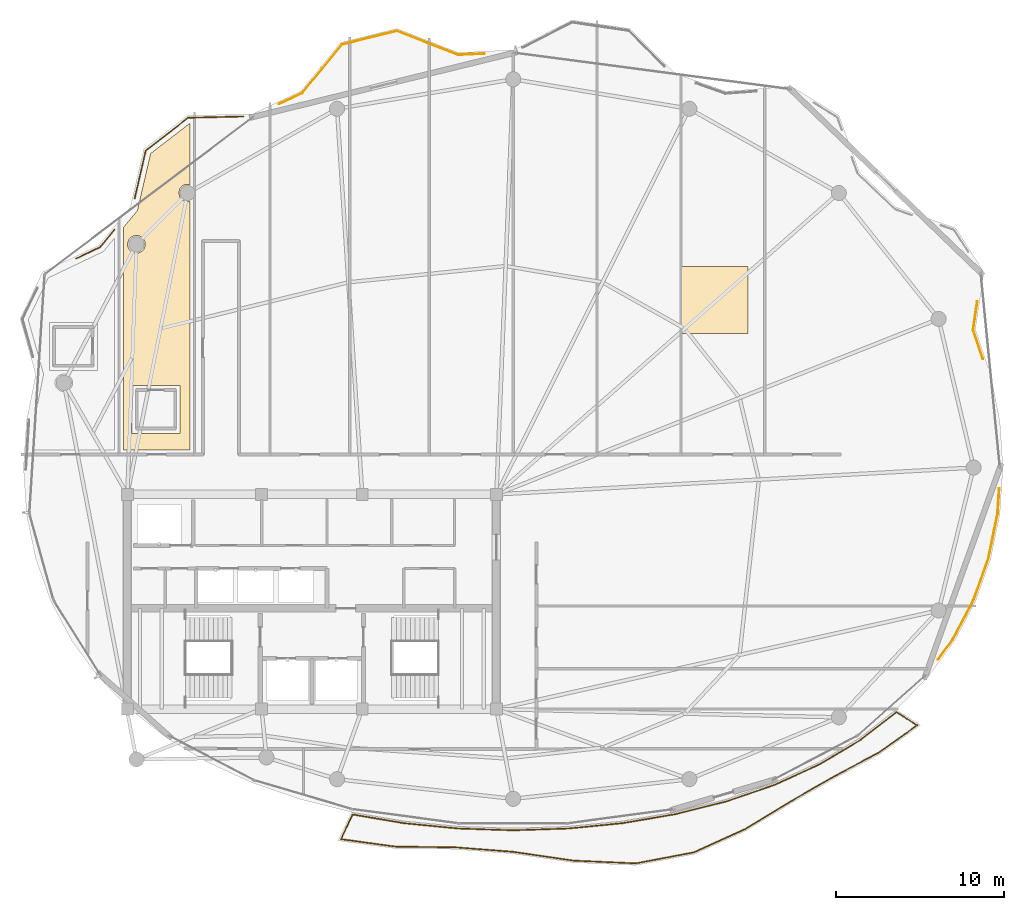
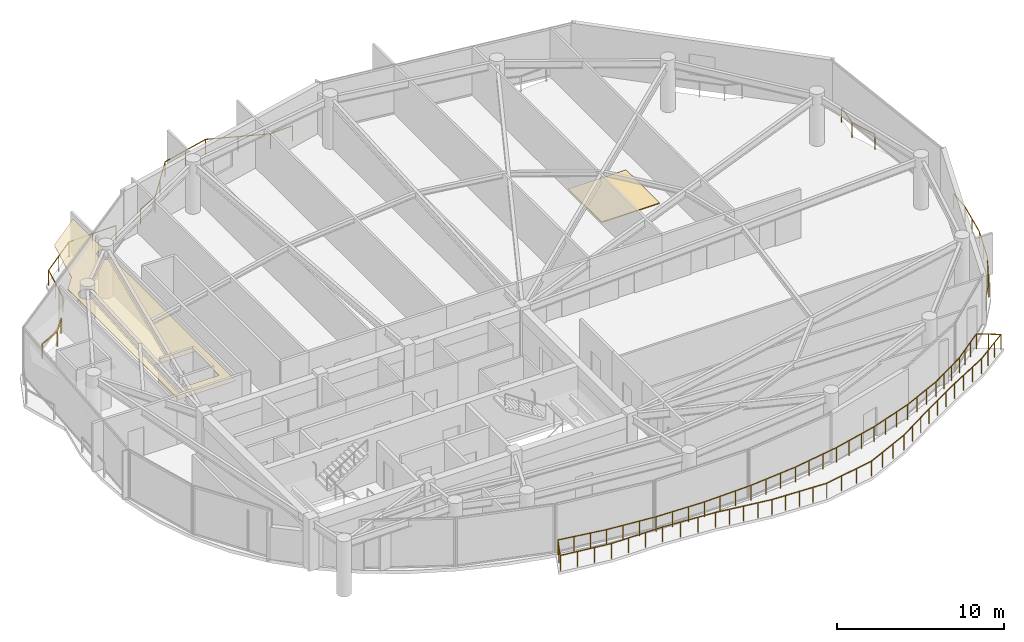
# One storey, part 29 of 30: 6 railings, 2 coverings.
"""IFC4 building model written with IfcOpenShell, lengths in metres."""

import ifcopenshell
import ifcopenshell.guid

model = None  # the IFC model being written
_history = None  # IfcOwnerHistory: only IFC2X3 demands one
_inside = {}  # id of a spatial element -> (the spatial element, [elements in it])
_under = {}  # id of a project, library or spatial element -> (it, [spatial elements below it])
_declared = {}  # id of a project -> (the project, [libraries it declares])
_typed = {}  # id of a type object -> (the type object, [elements of that type])
_made_of = {}  # id of a material, layer set ... -> (it, [elements and type objects made of it])


def new_model(schema):
    """Start an empty IFC model of exactly this schema.

    Asked for "IFC4X3", IfcOpenShell would pick the latest addendum, in which some entities
    have other attributes; the version numbers below select the first issue.
    IFC2X3 requires an IfcOwnerHistory on every rooted entity: one is made here for all.
    """
    global model, _history
    if schema == "IFC4X3":
        model = ifcopenshell.file(schema_version=(4, 3, 0, 0))
    else:
        model = ifcopenshell.file(schema=schema)
    _inside.clear()
    _under.clear()
    _declared.clear()
    _typed.clear()
    _made_of.clear()
    _history = None
    if model.schema == "IFC2X3":
        org = make("IfcOrganization", Name="unknown")
        user = make(
            "IfcPersonAndOrganization",
            ThePerson=make("IfcPerson", FamilyName="unknown"),
            TheOrganization=org,
        )
        app = make(
            "IfcApplication",
            ApplicationDeveloper=org,
            Version="unknown",
            ApplicationFullName="unknown",
            ApplicationIdentifier="unknown",
        )
        _history = make(
            "IfcOwnerHistory",
            OwningUser=user,
            OwningApplication=app,
            ChangeAction="ADDED",
            CreationDate=0,
        )
    return model


def make(cls, **values):
    """One entity of the class cls with the attributes given. An attribute that is None is left unset."""
    return model.create_entity(
        cls, **{name: value for name, value in values.items() if value is not None}
    )


def rooted(cls, **values):
    """An entity with a GlobalId (a new one), such as an element, a storey or a relation."""
    return make(cls, GlobalId=ifcopenshell.guid.new(), OwnerHistory=_history, **values)


def si_unit(unit_type, name, prefix=None):
    """IfcSIUnit, for example si_unit("LENGTHUNIT", "METRE", prefix="MILLI")."""
    return make("IfcSIUnit", UnitType=unit_type, Prefix=prefix, Name=name)


def assignment(units):
    """IfcUnitAssignment: the units of a project."""
    return None if units is None else make("IfcUnitAssignment", Units=units)


def point(xyz):
    """IfcCartesianPoint."""
    return None if xyz is None else make("IfcCartesianPoint", Coordinates=xyz)


def direction(xyz):
    """IfcDirection."""
    return None if xyz is None else make("IfcDirection", DirectionRatios=xyz)


def frame(location, z_axis=None, x_axis=None):
    """IfcAxis2Placement3D, a coordinate frame: its origin and axes. An axis left out is left unset."""
    return make(
        "IfcAxis2Placement3D",
        Location=point(location),
        Axis=direction(z_axis),
        RefDirection=direction(x_axis),
    )


def frame_2d(location, x_axis=None):
    """IfcAxis2Placement2D, a coordinate frame in the plane: its origin and x axis."""
    return make(
        "IfcAxis2Placement2D", Location=point(location), RefDirection=direction(x_axis)
    )


def origin():
    """The frame at (0, 0, 0) with its axes left unset."""
    return frame((0.0, 0.0, 0.0))


def origin_2d():
    """The frame at (0, 0) in the plane with its x axis left unset."""
    return frame_2d((0.0, 0.0))


def place(relative_to, where):
    """IfcLocalPlacement: puts the frame where relative to a parent placement (None: the world)."""
    return make(
        "IfcLocalPlacement", PlacementRelTo=relative_to, RelativePlacement=where
    )


def context(
    kind, dimensions, precision=None, world=None, true_north=None, identifier=None
):
    """IfcGeometricRepresentationContext, for example the 3D "Model" context."""
    return make(
        "IfcGeometricRepresentationContext",
        ContextIdentifier=identifier,
        ContextType=kind,
        CoordinateSpaceDimension=dimensions,
        Precision=precision,
        WorldCoordinateSystem=world,
        TrueNorth=true_north,
    )


def subcontext(parent, identifier, kind, view, scale=None):
    """IfcGeometricRepresentationSubContext, for example "Body" below "Model"."""
    return make(
        "IfcGeometricRepresentationSubContext",
        ContextIdentifier=identifier,
        ContextType=kind,
        ParentContext=parent,
        TargetScale=scale,
        TargetView=view,
    )


def project(units=None, contexts=None):
    """IfcProject with its units and contexts."""
    return rooted(
        "IfcProject",
        Name="project",
        RepresentationContexts=contexts,
        UnitsInContext=assignment(units),
    )


def spatial(cls, under=None, at=None, **own):
    """A site, building, storey or space (cls), placed at a placement, below another one or the project."""
    s = rooted(cls, ObjectPlacement=at, **own)
    if under is not None:
        _under.setdefault(under.id(), (under, []))[1].append(s)
    return s


def polyline(points):
    """IfcPolyline through the points."""
    return make("IfcPolyline", Points=[point(p) for p in points])


def profile(cls, at=None, kind="AREA", **sizes):
    """A parametric profile (cls). Its sizes go by their IFC names, for example OverallWidth=200.0."""
    return make(cls, ProfileType=kind, Position=at, **sizes)


def rectangle(**sizes):
    """IfcRectangleProfileDef."""
    return profile("IfcRectangleProfileDef", **sizes)


def outline(outer, holes=None, kind="AREA"):
    """IfcArbitraryClosedProfileDef: a profile drawn as a closed curve; with holes, ...WithVoids."""
    if holes is None:
        return make("IfcArbitraryClosedProfileDef", ProfileType=kind, OuterCurve=outer)
    return make(
        "IfcArbitraryProfileDefWithVoids",
        ProfileType=kind,
        OuterCurve=outer,
        InnerCurves=holes,
    )


def extrude(swept, where, along, depth):
    """IfcExtrudedAreaSolid: the profile swept, set in the frame where, extruded along a direction by depth."""
    return make(
        "IfcExtrudedAreaSolid",
        SweptArea=swept,
        Position=where,
        ExtrudedDirection=direction(along),
        Depth=depth,
    )


def shape(context_of_items, identifier, shape_type, items):
    """IfcShapeRepresentation: the items that make up one representation, for example the "Body"."""
    return make(
        "IfcShapeRepresentation",
        ContextOfItems=context_of_items,
        RepresentationIdentifier=identifier,
        RepresentationType=shape_type,
        Items=items,
    )


def material(Name=None, Category=None):
    """IfcMaterial."""
    return make("IfcMaterial", Name=Name, Category=Category)


def layer(
    of_material, thickness, ventilated=None, Name=None, Category=None, Priority=None
):
    """IfcMaterialLayer: one layer of a wall or slab, of a material (None: an air gap)."""
    return make(
        "IfcMaterialLayer",
        Material=of_material,
        LayerThickness=thickness,
        IsVentilated=ventilated,
        Name=Name,
        Category=Category,
        Priority=Priority,
    )


def layer_set(layers, Name=None):
    """IfcMaterialLayerSet."""
    return make("IfcMaterialLayerSet", MaterialLayers=layers, LayerSetName=Name)


def made_of(thing, what):
    """Note that an element or type object is made of a material, layer set ...; save() writes the relation."""
    if what is not None:
        _made_of.setdefault(what.id(), (what, []))[1].append(thing)
    return thing


def type_object(cls, material=None, **own):
    """A type object (cls), such as IfcWallType, which elements share."""
    return made_of(rooted(cls, **own), material)


def element(
    cls,
    number,
    at=None,
    inside=None,
    cuts=None,
    type_object=None,
    material=None,
    context=None,
    identifier="Body",
    shape_type=None,
    held_by="IfcProductDefinitionShape",
    body=None,
    shapes=None,
    **own,
):
    """One element of the class cls, such as IfcWall. Its Tag is "e" and its number.

    at: its placement. inside: the storey or other place that contains it. cuts: it is an
    opening in that element (IfcRelVoidsElement). A single representation is given by context,
    identifier, shape_type and body (its items); several are given by shapes. held_by: the class
    of the entity that holds the representations. save() writes the other relations.
    """
    e = rooted(cls, Tag="e%d" % number, ObjectPlacement=at, **own)
    if body is not None:
        shapes = [shape(context, identifier, shape_type, body)]
    if shapes is not None:
        e.Representation = make(held_by, Representations=shapes)
    if inside is not None:
        _inside.setdefault(inside.id(), (inside, []))[1].append(e)
    if cuts is not None:
        rooted(
            "IfcRelVoidsElement", RelatingBuildingElement=cuts, RelatedOpeningElement=e
        )
    if type_object is not None:
        _typed.setdefault(type_object.id(), (type_object, []))[1].append(e)
    return made_of(e, material)


def aggregate(whole, parts):
    """IfcRelAggregates: a whole, such as a stair, and the parts it consists of."""
    return rooted("IfcRelAggregates", RelatingObject=whole, RelatedObjects=parts)


def save(model, path):
    """Write the relations noted so far, then the file.

    IfcRelAggregates (storeys below a building ...), IfcRelContainedInSpatialStructure (elements
    in a storey), IfcRelDefinesByType, IfcRelAssociatesMaterial and IfcRelDeclares: one each for
    every whole, place, type object, material and project.
    """
    for whole, parts in _under.values():
        aggregate(whole, parts)
    for where, things in _inside.values():
        rooted(
            "IfcRelContainedInSpatialStructure",
            RelatedElements=things,
            RelatingStructure=where,
        )
    for kind, things in _typed.values():
        rooted("IfcRelDefinesByType", RelatedObjects=things, RelatingType=kind)
    for what, things in _made_of.values():
        rooted("IfcRelAssociatesMaterial", RelatedObjects=things, RelatingMaterial=what)
    for by, libraries in _declared.values():
        rooted("IfcRelDeclares", RelatingContext=by, RelatedDefinitions=libraries)
    model.write(path)


model = new_model("IFC4")

# Units and contexts
model_context = context("Model", 3, precision=1e-05, world=origin(), true_north=direction((0.0, 1.0)))
body_context = subcontext(model_context, "Body", "Model", "MODEL_VIEW")
ifc_project = project(units=[si_unit("LENGTHUNIT", "METRE"), si_unit("AREAUNIT", "SQUARE_METRE"), si_unit("VOLUMEUNIT", "CUBIC_METRE"), si_unit("PLANEANGLEUNIT", "RADIAN"), si_unit("MASSUNIT", "GRAM", prefix="KILO")], contexts=[model_context])

# Site, building, storey
site_placement = place(None, origin())
site = spatial("IfcSite", under=ifc_project, at=site_placement, CompositionType="ELEMENT")
building_placement = place(site_placement, origin())
building = spatial("IfcBuilding", under=site, at=building_placement, Name="Kazevale Care Tower and Concert Hall", CompositionType="ELEMENT")
storey_placement = place(building_placement, frame((0.0, 0.0, 258.60009765625)))
storey = spatial("IfcBuildingStorey", under=building, at=storey_placement, Name="L68", CompositionType="ELEMENT", Elevation=258.60009765625)

# Covering
ifc_material_1 = material(Name="Acoustic Plaster and Hinoki Wood", Category="wood")
ifc_layer_1 = layer(ifc_material_1, 0.0400390625)
ifc_layer_set_1 = layer_set([ifc_layer_1], Name="Acoustic Plaster and Hinoki Wood")
covering_type_1 = type_object("IfcCoveringType", Name="Acoustic Perforated Wood-Gypsum Ceiling", PredefinedType="CEILING", material=ifc_layer_set_1)
covering_1_placement = place(storey_placement, frame((0.0, 0.0, 2.909912109375)))
element("IfcCovering", 1, at=covering_1_placement, inside=storey, type_object=covering_type_1, Name="clg:L68:2", PredefinedType="CEILING", context=body_context, shape_type="SweptSolid", body=[
    extrude(outline(polyline([(25.719970703125, 54.882080078125), (25.487060546875, 54.889892578125), (25.2958984375, 54.81103515625), (25.14892578125, 54.6640625), (25.06005859375, 54.3701171875), (25.14892578125, 54.075927734375), (25.2958984375, 53.928955078125), (25.487060546875, 53.85009765625), (25.719970703125, 53.85791015625), (25.719970703125, 39.054931640625), (21.780029296875, 39.054931640625), (21.780029296875, 52.3359375), (22.593994140625, 53.31494140625), (23.385009765625, 56.721923828125), (25.719970703125, 58.52099609375), (25.719970703125, 54.882080078125)]), holes=[polyline([(22.27001953125, 40.044921875), (25.1298828125, 40.044921875), (25.1298828125, 42.905029296875), (22.27001953125, 42.905029296875), (22.27001953125, 40.044921875)]), polyline([(23.06005859375, 51.4130859375), (22.98095703125, 51.60400390625), (22.833984375, 51.7509765625), (22.64306640625, 51.830078125), (22.43701171875, 51.830078125), (22.24609375, 51.7509765625), (22.09912109375, 51.60400390625), (22.02001953125, 51.4130859375), (22.02001953125, 51.20703125), (22.09912109375, 51.01611328125), (22.24609375, 50.868896484375), (22.43701171875, 50.7900390625), (22.64306640625, 50.7900390625), (22.833984375, 50.868896484375), (22.98095703125, 51.01611328125), (23.06005859375, 51.20703125), (23.06005859375, 51.4130859375)])]), origin(), (0.0, 0.0, 1.0), 0.0400390625),
])

# Railings
ifc_material_2 = material(Name="Anodised Bronze Aluminium and Laminated Glass", Category="aluminium")
railing_type = type_object("IfcRailingType", Name="Balcony and Terrace Balustrade 1120", PredefinedType="BALUSTRADE", material=ifc_material_2)
railing_1_placement = place(storey_placement, frame((18.950927734375, 50.458984375, 0.0)))
element("IfcRailing", 2, at=railing_1_placement, inside=storey, type_object=railing_type, Name="rail:L68:perim:3", PredefinedType="BALUSTRADE", context=body_context, shape_type="SweptSolid", body=[
    extrude(rectangle(XDim=0.048095703125, YDim=0.048095703125, at=origin_2d()), frame((0.0, 0.0, 1.09619140625), z_axis=(0.902084102431, 0.43156027637, 0.0), x_axis=(-0.43156027637, 0.902084102431, 0.0)), (0.0, 0.0, 1.0), 1.56640625),
    extrude(rectangle(XDim=0.048095703125, YDim=0.048095703125, at=origin_2d()), frame((1.4130859375, 0.676025390625, 1.09619140625), z_axis=(0.639393529284, 0.768879649041, 0.0), x_axis=(-0.768879649041, 0.639393529284, 0.0)), (0.0, 0.0, 1.0), 1.366943359375),
    extrude(rectangle(XDim=0.0419921875, YDim=0.0419921875, at=origin_2d()), origin(), (0.0, 0.0, 1.0), 1.072021484375),
    extrude(rectangle(XDim=0.0419921875, YDim=0.0419921875, at=origin_2d()), frame((1.4130859375, 0.676025390625, 0.0)), (0.0, 0.0, 1.0), 1.072021484375),
    extrude(rectangle(XDim=0.0419921875, YDim=0.0419921875, at=origin_2d()), frame((2.287109375, 1.72705078125, 0.0)), (0.0, 0.0, 1.0), 1.072021484375),
])
railing_2_placement = place(storey_placement, frame((22.43408203125, 54.0400390625, 0.0)))
element("IfcRailing", 3, at=railing_2_placement, inside=storey, type_object=railing_type, Name="rail:L68:perim:4", PredefinedType="BALUSTRADE", context=body_context, shape_type="SweptSolid", body=[
    extrude(rectangle(XDim=0.048095703125, YDim=0.048095703125, at=origin_2d()), frame((0.0, 0.0, 1.09619140625), z_axis=(0.226114235755, 0.974100791699, 0.0), x_axis=(-0.974100791699, 0.226114235755, 0.0)), (0.0, 0.0, 1.0), 2.941162109375),
    extrude(rectangle(XDim=0.048095703125, YDim=0.048095703125, at=origin_2d()), frame((0.6650390625, 2.864990234375, 1.09619140625), z_axis=(0.792091877317, 0.610401882278, 0.0), x_axis=(-0.610401882278, 0.792091877317, 0.0)), (0.0, 0.0, 1.0), 3.19140625),
    extrude(rectangle(XDim=0.048095703125, YDim=0.048095703125, at=origin_2d()), frame((3.19287109375, 4.81298828125, 1.09619140625), z_axis=(0.999725903569, 0.023411914328, 0.0), x_axis=(-0.023411914328, 0.999725903569, 0.0)), (0.0, 0.0, 1.0), 3.284912109375),
    extrude(rectangle(XDim=0.0419921875, YDim=0.0419921875, at=origin_2d()), origin(), (0.0, 0.0, 1.0), 1.072021484375),
    extrude(rectangle(XDim=0.0419921875, YDim=0.0419921875, at=origin_2d()), frame((0.33251953125, 1.4326171875, 0.0)), (0.0, 0.0, 1.0), 1.072021484375),
    extrude(rectangle(XDim=0.0419921875, YDim=0.0419921875, at=origin_2d()), frame((0.6650390625, 2.864990234375, 0.0)), (0.0, 0.0, 1.0), 1.072021484375),
    extrude(rectangle(XDim=0.0419921875, YDim=0.0419921875, at=origin_2d()), frame((1.928955078125, 3.8388671875, 0.0)), (0.0, 0.0, 1.0), 1.072021484375),
    extrude(rectangle(XDim=0.0419921875, YDim=0.0419921875, at=origin_2d()), frame((3.19287109375, 4.81298828125, 0.0)), (0.0, 0.0, 1.0), 1.072021484375),
    extrude(rectangle(XDim=0.0419921875, YDim=0.0419921875, at=origin_2d()), frame((4.8349609375, 4.8515625, 0.0)), (0.0, 0.0, 1.0), 1.072021484375),
    extrude(rectangle(XDim=0.0419921875, YDim=0.0419921875, at=origin_2d()), frame((6.476806640625, 4.889892578125, 0.0)), (0.0, 0.0, 1.0), 1.072021484375),
])
railing_3_placement = place(storey_placement, frame((31.0458984375, 59.674072265625, 0.0)))
element("IfcRailing", 4, at=railing_3_placement, inside=storey, type_object=railing_type, Name="rail:L68:perim:5", PredefinedType="BALUSTRADE", context=body_context, shape_type="SweptSolid", body=[
    extrude(rectangle(XDim=0.048095703125, YDim=0.048095703125, at=origin_2d()), frame((0.0, 0.0, 1.09619140625), z_axis=(0.904607164856, 0.426246263668, 0.0), x_axis=(-0.426246263668, 0.904607164856, 0.0)), (0.0, 0.0, 1.0), 1.517822265625),
    extrude(rectangle(XDim=0.048095703125, YDim=0.048095703125, at=origin_2d()), frame((1.373046875, 0.64697265625, 1.09619140625), z_axis=(0.633401077761, 0.773823671576, 0.0), x_axis=(-0.773823671576, 0.633401077761, 0.0)), (0.0, 0.0, 1.0), 3.744873046875),
    extrude(rectangle(XDim=0.048095703125, YDim=0.048095703125, at=origin_2d()), frame((3.7451171875, 3.544921875, 1.09619140625), z_axis=(0.970559032578, 0.240863372645, 0.0), x_axis=(-0.240863372645, 0.970559032578, 0.0)), (0.0, 0.0, 1.0), 3.3671875),
    extrude(rectangle(XDim=0.048095703125, YDim=0.048095703125, at=origin_2d()), frame((7.01318359375, 4.35595703125, 1.09619140625), z_axis=(0.931197717699, -0.364514486067, 0.0), x_axis=(0.364514486067, 0.931197717699, 0.0)), (0.0, 0.0, 1.0), 3.91748046875),
    extrude(rectangle(XDim=0.048095703125, YDim=0.048095703125, at=origin_2d()), frame((10.6611328125, 2.927978515625, 1.09619140625), z_axis=(0.998857903438, 0.047779584973, 0.0), x_axis=(-0.047779584973, 0.998857903438, 0.0)), (0.0, 0.0, 1.0), 1.568603515625),
    extrude(rectangle(XDim=0.0419921875, YDim=0.0419921875, at=origin_2d()), origin(), (0.0, 0.0, 1.0), 1.072021484375),
    extrude(rectangle(XDim=0.0419921875, YDim=0.0419921875, at=origin_2d()), frame((1.373046875, 0.64697265625, 0.0)), (0.0, 0.0, 1.0), 1.072021484375),
    extrude(rectangle(XDim=0.0419921875, YDim=0.0419921875, at=origin_2d()), frame((2.55908203125, 2.095947265625, 0.0)), (0.0, 0.0, 1.0), 1.072021484375),
    extrude(rectangle(XDim=0.0419921875, YDim=0.0419921875, at=origin_2d()), frame((3.7451171875, 3.544921875, 0.0)), (0.0, 0.0, 1.0), 1.072021484375),
    extrude(rectangle(XDim=0.0419921875, YDim=0.0419921875, at=origin_2d()), frame((5.379150390625, 3.950439453125, 0.0)), (0.0, 0.0, 1.0), 1.072021484375),
    extrude(rectangle(XDim=0.0419921875, YDim=0.0419921875, at=origin_2d()), frame((7.01318359375, 4.35595703125, 0.0)), (0.0, 0.0, 1.0), 1.072021484375),
    extrude(rectangle(XDim=0.0419921875, YDim=0.0419921875, at=origin_2d()), frame((8.837158203125, 3.64208984375, 0.0)), (0.0, 0.0, 1.0), 1.072021484375),
    extrude(rectangle(XDim=0.0419921875, YDim=0.0419921875, at=origin_2d()), frame((10.6611328125, 2.927978515625, 0.0)), (0.0, 0.0, 1.0), 1.072021484375),
    extrude(rectangle(XDim=0.0419921875, YDim=0.0419921875, at=origin_2d()), frame((12.22802734375, 3.0029296875, 0.0)), (0.0, 0.0, 1.0), 1.072021484375),
])
railing_4_placement = place(storey_placement, frame((73.97705078125, 36.751953125, 0.0)))
element("IfcRailing", 5, at=railing_4_placement, inside=storey, type_object=railing_type, Name="rail:L68:perim:10", PredefinedType="BALUSTRADE", context=body_context, shape_type="SweptSolid", body=[
    extrude(rectangle(XDim=0.048095703125, YDim=0.048095703125, at=origin_2d()), frame((0.0, 0.0, 1.09619140625), z_axis=(-0.066454463636, -0.997789458885, 0.0), x_axis=(0.997789458885, -0.066454463636, 0.0)), (0.0, 0.0, 1.0), 1.50634765625),
    extrude(rectangle(XDim=0.048095703125, YDim=0.048095703125, at=origin_2d()), frame((-0.10009765625, -1.5029296875, 1.09619140625), z_axis=(-0.200351117795, -0.979724159954, 0.0), x_axis=(0.979724159954, -0.200351117795, 0.0)), (0.0, 0.0, 1.0), 2.71484375),
    extrude(rectangle(XDim=0.048095703125, YDim=0.048095703125, at=origin_2d()), frame((-0.64404296875, -4.162841796875, 1.09619140625), z_axis=(-0.336533036542, -0.941671660036, 0.0), x_axis=(0.941671660036, -0.336533036542, 0.0)), (0.0, 0.0, 1.0), 2.674072265625),
    extrude(rectangle(XDim=0.048095703125, YDim=0.048095703125, at=origin_2d()), frame((-1.5439453125, -6.680908203125, 1.09619140625), z_axis=(-0.469135033055, -0.883126446643, 0.0), x_axis=(0.883126446643, -0.469135033055, 0.0)), (0.0, 0.0, 1.0), 2.652099609375),
    extrude(rectangle(XDim=0.048095703125, YDim=0.048095703125, at=origin_2d()), frame((-2.7880859375, -9.02294921875, 1.09619140625), z_axis=(-0.592278495921, -0.805733320193, 0.0), x_axis=(0.805733320193, -0.592278495921, 0.0)), (0.0, 0.0, 1.0), 1.45703125),
    extrude(rectangle(XDim=0.0419921875, YDim=0.0419921875, at=origin_2d()), origin(), (0.0, 0.0, 1.0), 1.072021484375),
    extrude(rectangle(XDim=0.0419921875, YDim=0.0419921875, at=origin_2d()), frame((-0.10009765625, -1.5029296875, 0.0)), (0.0, 0.0, 1.0), 1.072021484375),
    extrude(rectangle(XDim=0.0419921875, YDim=0.0419921875, at=origin_2d()), frame((-0.3720703125, -2.8330078125, 0.0)), (0.0, 0.0, 1.0), 1.072021484375),
    extrude(rectangle(XDim=0.0419921875, YDim=0.0419921875, at=origin_2d()), frame((-0.64404296875, -4.162841796875, 0.0)), (0.0, 0.0, 1.0), 1.072021484375),
    extrude(rectangle(XDim=0.0419921875, YDim=0.0419921875, at=origin_2d()), frame((-1.093994140625, -5.421875, 0.0)), (0.0, 0.0, 1.0), 1.072021484375),
    extrude(rectangle(XDim=0.0419921875, YDim=0.0419921875, at=origin_2d()), frame((-1.5439453125, -6.680908203125, 0.0)), (0.0, 0.0, 1.0), 1.072021484375),
    extrude(rectangle(XDim=0.0419921875, YDim=0.0419921875, at=origin_2d()), frame((-2.166015625, -7.85205078125, 0.0)), (0.0, 0.0, 1.0), 1.072021484375),
    extrude(rectangle(XDim=0.0419921875, YDim=0.0419921875, at=origin_2d()), frame((-2.7880859375, -9.02294921875, 0.0)), (0.0, 0.0, 1.0), 1.072021484375),
    extrude(rectangle(XDim=0.0419921875, YDim=0.0419921875, at=origin_2d()), frame((-3.651123046875, -10.197021484375, 0.0)), (0.0, 0.0, 1.0), 1.072021484375),
])
railing_5_placement = place(storey_placement, frame((72.6650390625, 47.887939453125, 0.0)))
element("IfcRailing", 6, at=railing_5_placement, inside=storey, type_object=railing_type, Name="rail:L68:perim:12", PredefinedType="BALUSTRADE", context=body_context, shape_type="SweptSolid", body=[
    extrude(rectangle(XDim=0.048095703125, YDim=0.048095703125, at=origin_2d()), frame((0.0, 0.0, 1.09619140625), z_axis=(-0.145755209464, -0.989320685579, 0.0), x_axis=(0.989320685579, -0.145755209464, 0.0)), (0.0, 0.0, 1.0), 1.695068359375),
    extrude(rectangle(XDim=0.048095703125, YDim=0.048095703125, at=origin_2d()), frame((-0.2470703125, -1.677001953125, 1.09619140625), z_axis=(0.320057810451, -0.947398014548, 0.0), x_axis=(0.947398014548, 0.320057810451, 0.0)), (0.0, 0.0, 1.0), 1.8154296875),
    extrude(rectangle(XDim=0.0419921875, YDim=0.0419921875, at=origin_2d()), origin(), (0.0, 0.0, 1.0), 1.072021484375),
    extrude(rectangle(XDim=0.0419921875, YDim=0.0419921875, at=origin_2d()), frame((-0.2470703125, -1.677001953125, 0.0)), (0.0, 0.0, 1.0), 1.072021484375),
    extrude(rectangle(XDim=0.0419921875, YDim=0.0419921875, at=origin_2d()), frame((0.333984375, -3.39697265625, 0.0)), (0.0, 0.0, 1.0), 1.072021484375),
])
railing_6_placement = place(storey_placement, frame((35.424072265625, 17.319091796875, 0.0)))
element("IfcRailing", 7, at=railing_6_placement, inside=storey, type_object=railing_type, Name="rail:L68:balcony", PredefinedType="BALUSTRADE", context=body_context, shape_type="SweptSolid", body=[
    extrude(rectangle(XDim=0.048095703125, YDim=0.048095703125, at=origin_2d()), frame((0.0, 0.0, 1.09619140625), z_axis=(0.985883626942, -0.167431998516, 0.0), x_axis=(0.167431998516, 0.985883626942, 0.0)), (0.0, 0.0, 1.0), 3.10595703125),
    extrude(rectangle(XDim=0.048095703125, YDim=0.048095703125, at=origin_2d()), frame((3.06201171875, -0.52001953125, 1.09619140625), z_axis=(0.995202326145, -0.097838285119, 0.0), x_axis=(0.097838285119, 0.995202326145, 0.0)), (0.0, 0.0, 1.0), 3.25146484375),
    extrude(rectangle(XDim=0.048095703125, YDim=0.048095703125, at=origin_2d()), frame((6.2978515625, -0.838134765625, 1.09619140625), z_axis=(0.999478023027, -0.032306059581, 0.0), x_axis=(0.032306059581, 0.999478023027, 0.0)), (0.0, 0.0, 1.0), 3.27978515625),
    extrude(rectangle(XDim=0.048095703125, YDim=0.048095703125, at=origin_2d()), frame((9.575927734375, -0.944091796875, 1.09619140625), z_axis=(0.999478023027, 0.032306059581, 0.0), x_axis=(-0.032306059581, 0.999478023027, 0.0)), (0.0, 0.0, 1.0), 3.27978515625),
    extrude(rectangle(XDim=0.048095703125, YDim=0.048095703125, at=origin_2d()), frame((12.85400390625, -0.838134765625, 1.09619140625), z_axis=(0.995202326145, 0.097838285119, 0.0), x_axis=(-0.097838285119, 0.995202326145, 0.0)), (0.0, 0.0, 1.0), 3.25146484375),
    extrude(rectangle(XDim=0.048095703125, YDim=0.048095703125, at=origin_2d()), frame((16.08984375, -0.52001953125, 1.09619140625), z_axis=(0.985888464626, 0.167403510471, 0.0), x_axis=(-0.167403510471, 0.985888464626, 0.0)), (0.0, 0.0, 1.0), 3.201171875),
    extrude(rectangle(XDim=0.048095703125, YDim=0.048095703125, at=origin_2d()), frame((19.245849609375, 0.015869140625, 1.09619140625), z_axis=(0.970197562423, 0.242315269572, 0.0), x_axis=(-0.242315269572, 0.970197562423, 0.0)), (0.0, 0.0, 1.0), 3.12841796875),
    extrude(rectangle(XDim=0.048095703125, YDim=0.048095703125, at=origin_2d()), frame((22.281005859375, 0.77392578125, 1.09619140625), z_axis=(0.945779087346, 0.324810587788, 0.0), x_axis=(-0.324810587788, 0.945779087346, 0.0)), (0.0, 0.0, 1.0), 3.0419921875),
    extrude(rectangle(XDim=0.048095703125, YDim=0.048095703125, at=origin_2d()), frame((25.157958984375, 1.761962890625, 1.09619140625), z_axis=(0.909747168294, 0.415162726869, 0.0), x_axis=(-0.415162726869, 0.909747168294, 0.0)), (0.0, 0.0, 1.0), 2.947998046875),
    extrude(rectangle(XDim=0.048095703125, YDim=0.048095703125, at=origin_2d()), frame((27.83984375, 2.98583984375, 1.09619140625), z_axis=(0.858628906565, 0.512597698796, 0.0), x_axis=(-0.512597698796, 0.858628906565, 0.0)), (0.0, 0.0, 1.0), 2.858154296875),
    extrude(rectangle(XDim=0.048095703125, YDim=0.048095703125, at=origin_2d()), frame((30.2939453125, 4.450927734375, 1.09619140625), z_axis=(0.789596616282, 0.613626257225, 0.0), x_axis=(-0.613626257225, 0.789596616282, 0.0)), (0.0, 0.0, 1.0), 2.688720703125),
    extrude(rectangle(XDim=0.048095703125, YDim=0.048095703125, at=origin_2d()), frame((32.4169921875, 6.100830078125, 1.09619140625), z_axis=(0.845326967952, -0.534249302529, 0.0), x_axis=(0.534249302529, 0.845326967952, 0.0)), (0.0, 0.0, 1.0), 1.46923828125),
    extrude(rectangle(XDim=0.048095703125, YDim=0.048095703125, at=origin_2d()), frame((33.658935546875, 5.31591796875, 1.09619140625), z_axis=(-0.815132559145, -0.579274469506, 0.0), x_axis=(0.579274469506, -0.815132559145, 0.0)), (0.0, 0.0, 1.0), 2.78955078125),
    extrude(rectangle(XDim=0.048095703125, YDim=0.048095703125, at=origin_2d()), frame((31.385009765625, 3.699951171875, 1.09619140625), z_axis=(-0.882046966669, -0.471161488866, 0.0), x_axis=(0.471161488866, -0.882046966669, 0.0)), (0.0, 0.0, 1.0), 3.050048828125),
    extrude(rectangle(XDim=0.048095703125, YDim=0.048095703125, at=origin_2d()), frame((28.69482421875, 2.262939453125, 1.09619140625), z_axis=(-0.866777523961, -0.498695020986, 0.0), x_axis=(0.498695020986, -0.866777523961, 0.0)), (0.0, 0.0, 1.0), 3.03173828125),
    extrude(rectangle(XDim=0.048095703125, YDim=0.048095703125, at=origin_2d()), frame((26.06689453125, 0.7509765625, 1.09619140625), z_axis=(-0.85469487987, -0.519130679429, 0.0), x_axis=(0.519130679429, -0.85469487987, 0.0)), (0.0, 0.0, 1.0), 3.132080078125),
    extrude(rectangle(XDim=0.048095703125, YDim=0.048095703125, at=origin_2d()), frame((23.389892578125, -0.875, 1.09619140625), z_axis=(-0.910155396683, -0.414267007966, 0.0), x_axis=(0.414267007966, -0.910155396683, 0.0)), (0.0, 0.0, 1.0), 3.3291015625),
    extrude(rectangle(XDim=0.048095703125, YDim=0.048095703125, at=origin_2d()), frame((20.35986328125, -2.254150390625, 1.09619140625), z_axis=(-0.982449966892, -0.186526305259, 0.0), x_axis=(0.186526305259, -0.982449966892, 0.0)), (0.0, 0.0, 1.0), 3.543212890625),
    extrude(rectangle(XDim=0.048095703125, YDim=0.048095703125, at=origin_2d()), frame((16.87890625, -2.9150390625, 1.09619140625), z_axis=(-0.999040261251, 0.04380132874, 0.0), x_axis=(-0.04380132874, -0.999040261251, 0.0)), (0.0, 0.0, 1.0), 3.695556640625),
    extrude(rectangle(XDim=0.048095703125, YDim=0.048095703125, at=origin_2d()), frame((13.18701171875, -2.753173828125, 1.09619140625), z_axis=(-0.989516596176, 0.144419201952, 0.0), x_axis=(-0.144419201952, -0.989516596176, 0.0)), (0.0, 0.0, 1.0), 3.63623046875),
    extrude(rectangle(XDim=0.048095703125, YDim=0.048095703125, at=origin_2d()), frame((9.5888671875, -2.22802734375, 1.09619140625), z_axis=(-0.996968409089, 0.077807398608, 0.0), x_axis=(-0.077807398608, -0.996968409089, 0.0)), (0.0, 0.0, 1.0), 3.495361328125),
    extrude(rectangle(XDim=0.048095703125, YDim=0.048095703125, at=origin_2d()), frame((6.10400390625, -1.9560546875, 1.09619140625), z_axis=(-0.999945261186, 0.010463012573, 0.0), x_axis=(-0.010463012573, -0.999945261186, 0.0)), (0.0, 0.0, 1.0), 3.5234375),
    extrude(rectangle(XDim=0.048095703125, YDim=0.048095703125, at=origin_2d()), frame((2.580810546875, -1.919189453125, 1.09619140625), z_axis=(-0.990795946051, 0.135363929057, 0.0), x_axis=(-0.135363929057, -0.990795946051, 0.0)), (0.0, 0.0, 1.0), 3.30224609375),
    extrude(rectangle(XDim=0.048095703125, YDim=0.048095703125, at=origin_2d()), frame((-0.691162109375, -1.47216796875, 1.09619140625), z_axis=(0.424979939602, 0.905202767857, 0.0), x_axis=(-0.905202767857, 0.424979939602, 0.0)), (0.0, 0.0, 1.0), 1.626220703125),
    extrude(rectangle(XDim=0.0419921875, YDim=0.0419921875, at=origin_2d()), origin(), (0.0, 0.0, 1.0), 1.072021484375),
    extrude(rectangle(XDim=0.0419921875, YDim=0.0419921875, at=origin_2d()), frame((1.020751953125, -0.17333984375, 0.0)), (0.0, 0.0, 1.0), 1.072021484375),
    extrude(rectangle(XDim=0.0419921875, YDim=0.0419921875, at=origin_2d()), frame((2.041259765625, -0.3466796875, 0.0)), (0.0, 0.0, 1.0), 1.072021484375),
    extrude(rectangle(XDim=0.0419921875, YDim=0.0419921875, at=origin_2d()), frame((3.06201171875, -0.52001953125, 0.0)), (0.0, 0.0, 1.0), 1.072021484375),
    extrude(rectangle(XDim=0.0419921875, YDim=0.0419921875, at=origin_2d()), frame((4.140625, -0.6259765625, 0.0)), (0.0, 0.0, 1.0), 1.072021484375),
    extrude(rectangle(XDim=0.0419921875, YDim=0.0419921875, at=origin_2d()), frame((5.21923828125, -0.732177734375, 0.0)), (0.0, 0.0, 1.0), 1.072021484375),
    extrude(rectangle(XDim=0.0419921875, YDim=0.0419921875, at=origin_2d()), frame((6.2978515625, -0.838134765625, 0.0)), (0.0, 0.0, 1.0), 1.072021484375),
    extrude(rectangle(XDim=0.0419921875, YDim=0.0419921875, at=origin_2d()), frame((7.390625, -0.87353515625, 0.0)), (0.0, 0.0, 1.0), 1.072021484375),
    extrude(rectangle(XDim=0.0419921875, YDim=0.0419921875, at=origin_2d()), frame((8.483154296875, -0.90869140625, 0.0)), (0.0, 0.0, 1.0), 1.072021484375),
    extrude(rectangle(XDim=0.0419921875, YDim=0.0419921875, at=origin_2d()), frame((9.575927734375, -0.944091796875, 0.0)), (0.0, 0.0, 1.0), 1.072021484375),
    extrude(rectangle(XDim=0.0419921875, YDim=0.0419921875, at=origin_2d()), frame((10.668701171875, -0.90869140625, 0.0)), (0.0, 0.0, 1.0), 1.072021484375),
    extrude(rectangle(XDim=0.0419921875, YDim=0.0419921875, at=origin_2d()), frame((11.76123046875, -0.87353515625, 0.0)), (0.0, 0.0, 1.0), 1.072021484375),
    extrude(rectangle(XDim=0.0419921875, YDim=0.0419921875, at=origin_2d()), frame((12.85400390625, -0.838134765625, 0.0)), (0.0, 0.0, 1.0), 1.072021484375),
    extrude(rectangle(XDim=0.0419921875, YDim=0.0419921875, at=origin_2d()), frame((13.9326171875, -0.732177734375, 0.0)), (0.0, 0.0, 1.0), 1.072021484375),
    extrude(rectangle(XDim=0.0419921875, YDim=0.0419921875, at=origin_2d()), frame((15.01123046875, -0.6259765625, 0.0)), (0.0, 0.0, 1.0), 1.072021484375),
    extrude(rectangle(XDim=0.0419921875, YDim=0.0419921875, at=origin_2d()), frame((16.08984375, -0.52001953125, 0.0)), (0.0, 0.0, 1.0), 1.072021484375),
    extrude(rectangle(XDim=0.0419921875, YDim=0.0419921875, at=origin_2d()), frame((17.141845703125, -0.34130859375, 0.0)), (0.0, 0.0, 1.0), 1.072021484375),
    extrude(rectangle(XDim=0.0419921875, YDim=0.0419921875, at=origin_2d()), frame((18.19384765625, -0.162841796875, 0.0)), (0.0, 0.0, 1.0), 1.072021484375),
    extrude(rectangle(XDim=0.0419921875, YDim=0.0419921875, at=origin_2d()), frame((19.245849609375, 0.015869140625, 0.0)), (0.0, 0.0, 1.0), 1.072021484375),
    extrude(rectangle(XDim=0.0419921875, YDim=0.0419921875, at=origin_2d()), frame((20.257568359375, 0.2685546875, 0.0)), (0.0, 0.0, 1.0), 1.072021484375),
    extrude(rectangle(XDim=0.0419921875, YDim=0.0419921875, at=origin_2d()), frame((21.269287109375, 0.521240234375, 0.0)), (0.0, 0.0, 1.0), 1.072021484375),
    extrude(rectangle(XDim=0.0419921875, YDim=0.0419921875, at=origin_2d()), frame((22.281005859375, 0.77392578125, 0.0)), (0.0, 0.0, 1.0), 1.072021484375),
    extrude(rectangle(XDim=0.0419921875, YDim=0.0419921875, at=origin_2d()), frame((23.239990234375, 1.103271484375, 0.0)), (0.0, 0.0, 1.0), 1.072021484375),
    extrude(rectangle(XDim=0.0419921875, YDim=0.0419921875, at=origin_2d()), frame((24.198974609375, 1.4326171875, 0.0)), (0.0, 0.0, 1.0), 1.072021484375),
    extrude(rectangle(XDim=0.0419921875, YDim=0.0419921875, at=origin_2d()), frame((25.157958984375, 1.761962890625, 0.0)), (0.0, 0.0, 1.0), 1.072021484375),
    extrude(rectangle(XDim=0.0419921875, YDim=0.0419921875, at=origin_2d()), frame((26.052001953125, 2.169921875, 0.0)), (0.0, 0.0, 1.0), 1.072021484375),
    extrude(rectangle(XDim=0.0419921875, YDim=0.0419921875, at=origin_2d()), frame((26.94580078125, 2.577880859375, 0.0)), (0.0, 0.0, 1.0), 1.072021484375),
    extrude(rectangle(XDim=0.0419921875, YDim=0.0419921875, at=origin_2d()), frame((27.83984375, 2.98583984375, 0.0)), (0.0, 0.0, 1.0), 1.072021484375),
    extrude(rectangle(XDim=0.0419921875, YDim=0.0419921875, at=origin_2d()), frame((28.657958984375, 3.47412109375, 0.0)), (0.0, 0.0, 1.0), 1.072021484375),
    extrude(rectangle(XDim=0.0419921875, YDim=0.0419921875, at=origin_2d()), frame((29.475830078125, 3.962646484375, 0.0)), (0.0, 0.0, 1.0), 1.072021484375),
    extrude(rectangle(XDim=0.0419921875, YDim=0.0419921875, at=origin_2d()), frame((30.2939453125, 4.450927734375, 0.0)), (0.0, 0.0, 1.0), 1.072021484375),
    extrude(rectangle(XDim=0.0419921875, YDim=0.0419921875, at=origin_2d()), frame((31.001708984375, 5.0009765625, 0.0)), (0.0, 0.0, 1.0), 1.072021484375),
    extrude(rectangle(XDim=0.0419921875, YDim=0.0419921875, at=origin_2d()), frame((31.709228515625, 5.55078125, 0.0)), (0.0, 0.0, 1.0), 1.072021484375),
    extrude(rectangle(XDim=0.0419921875, YDim=0.0419921875, at=origin_2d()), frame((32.4169921875, 6.100830078125, 0.0)), (0.0, 0.0, 1.0), 1.072021484375),
    extrude(rectangle(XDim=0.0419921875, YDim=0.0419921875, at=origin_2d()), frame((33.0380859375, 5.70849609375, 0.0)), (0.0, 0.0, 1.0), 1.072021484375),
    extrude(rectangle(XDim=0.0419921875, YDim=0.0419921875, at=origin_2d()), frame((33.658935546875, 5.31591796875, 0.0)), (0.0, 0.0, 1.0), 1.072021484375),
    extrude(rectangle(XDim=0.0419921875, YDim=0.0419921875, at=origin_2d()), frame((32.90087890625, 4.77734375, 0.0)), (0.0, 0.0, 1.0), 1.072021484375),
    extrude(rectangle(XDim=0.0419921875, YDim=0.0419921875, at=origin_2d()), frame((32.14306640625, 4.238525390625, 0.0)), (0.0, 0.0, 1.0), 1.072021484375),
    extrude(rectangle(XDim=0.0419921875, YDim=0.0419921875, at=origin_2d()), frame((31.385009765625, 3.699951171875, 0.0)), (0.0, 0.0, 1.0), 1.072021484375),
    extrude(rectangle(XDim=0.0419921875, YDim=0.0419921875, at=origin_2d()), frame((30.48828125, 3.220947265625, 0.0)), (0.0, 0.0, 1.0), 1.072021484375),
    extrude(rectangle(XDim=0.0419921875, YDim=0.0419921875, at=origin_2d()), frame((29.591552734375, 2.741943359375, 0.0)), (0.0, 0.0, 1.0), 1.072021484375),
    extrude(rectangle(XDim=0.0419921875, YDim=0.0419921875, at=origin_2d()), frame((28.69482421875, 2.262939453125, 0.0)), (0.0, 0.0, 1.0), 1.072021484375),
    extrude(rectangle(XDim=0.0419921875, YDim=0.0419921875, at=origin_2d()), frame((27.81884765625, 1.759033203125, 0.0)), (0.0, 0.0, 1.0), 1.072021484375),
    extrude(rectangle(XDim=0.0419921875, YDim=0.0419921875, at=origin_2d()), frame((26.94287109375, 1.2548828125, 0.0)), (0.0, 0.0, 1.0), 1.072021484375),
    extrude(rectangle(XDim=0.0419921875, YDim=0.0419921875, at=origin_2d()), frame((26.06689453125, 0.7509765625, 0.0)), (0.0, 0.0, 1.0), 1.072021484375),
    extrude(rectangle(XDim=0.0419921875, YDim=0.0419921875, at=origin_2d()), frame((25.174560546875, 0.208984375, 0.0)), (0.0, 0.0, 1.0), 1.072021484375),
    extrude(rectangle(XDim=0.0419921875, YDim=0.0419921875, at=origin_2d()), frame((24.2822265625, -0.3330078125, 0.0)), (0.0, 0.0, 1.0), 1.072021484375),
    extrude(rectangle(XDim=0.0419921875, YDim=0.0419921875, at=origin_2d()), frame((23.389892578125, -0.875, 0.0)), (0.0, 0.0, 1.0), 1.072021484375),
    extrude(rectangle(XDim=0.0419921875, YDim=0.0419921875, at=origin_2d()), frame((22.3798828125, -1.334716796875, 0.0)), (0.0, 0.0, 1.0), 1.072021484375),
    extrude(rectangle(XDim=0.0419921875, YDim=0.0419921875, at=origin_2d()), frame((21.369873046875, -1.79443359375, 0.0)), (0.0, 0.0, 1.0), 1.072021484375),
    extrude(rectangle(XDim=0.0419921875, YDim=0.0419921875, at=origin_2d()), frame((20.35986328125, -2.254150390625, 0.0)), (0.0, 0.0, 1.0), 1.072021484375),
    extrude(rectangle(XDim=0.0419921875, YDim=0.0419921875, at=origin_2d()), frame((19.199462890625, -2.474365234375, 0.0)), (0.0, 0.0, 1.0), 1.072021484375),
    extrude(rectangle(XDim=0.0419921875, YDim=0.0419921875, at=origin_2d()), frame((18.039306640625, -2.69482421875, 0.0)), (0.0, 0.0, 1.0), 1.072021484375),
    extrude(rectangle(XDim=0.0419921875, YDim=0.0419921875, at=origin_2d()), frame((16.87890625, -2.9150390625, 0.0)), (0.0, 0.0, 1.0), 1.072021484375),
    extrude(rectangle(XDim=0.0419921875, YDim=0.0419921875, at=origin_2d()), frame((15.9560546875, -2.87451171875, 0.0)), (0.0, 0.0, 1.0), 1.072021484375),
    extrude(rectangle(XDim=0.0419921875, YDim=0.0419921875, at=origin_2d()), frame((15.032958984375, -2.833984375, 0.0)), (0.0, 0.0, 1.0), 1.072021484375),
    extrude(rectangle(XDim=0.0419921875, YDim=0.0419921875, at=origin_2d()), frame((14.10986328125, -2.793701171875, 0.0)), (0.0, 0.0, 1.0), 1.072021484375),
    extrude(rectangle(XDim=0.0419921875, YDim=0.0419921875, at=origin_2d()), frame((13.18701171875, -2.753173828125, 0.0)), (0.0, 0.0, 1.0), 1.072021484375),
    extrude(rectangle(XDim=0.0419921875, YDim=0.0419921875, at=origin_2d()), frame((12.28759765625, -2.621826171875, 0.0)), (0.0, 0.0, 1.0), 1.072021484375),
    extrude(rectangle(XDim=0.0419921875, YDim=0.0419921875, at=origin_2d()), frame((11.387939453125, -2.49072265625, 0.0)), (0.0, 0.0, 1.0), 1.072021484375),
    extrude(rectangle(XDim=0.0419921875, YDim=0.0419921875, at=origin_2d()), frame((10.48828125, -2.359375, 0.0)), (0.0, 0.0, 1.0), 1.072021484375),
    extrude(rectangle(XDim=0.0419921875, YDim=0.0419921875, at=origin_2d()), frame((9.5888671875, -2.22802734375, 0.0)), (0.0, 0.0, 1.0), 1.072021484375),
    extrude(rectangle(XDim=0.0419921875, YDim=0.0419921875, at=origin_2d()), frame((8.42724609375, -2.137451171875, 0.0)), (0.0, 0.0, 1.0), 1.072021484375),
    extrude(rectangle(XDim=0.0419921875, YDim=0.0419921875, at=origin_2d()), frame((7.265625, -2.046630859375, 0.0)), (0.0, 0.0, 1.0), 1.072021484375),
    extrude(rectangle(XDim=0.0419921875, YDim=0.0419921875, at=origin_2d()), frame((6.10400390625, -1.9560546875, 0.0)), (0.0, 0.0, 1.0), 1.072021484375),
    extrude(rectangle(XDim=0.0419921875, YDim=0.0419921875, at=origin_2d()), frame((4.9296875, -1.94384765625, 0.0)), (0.0, 0.0, 1.0), 1.072021484375),
    extrude(rectangle(XDim=0.0419921875, YDim=0.0419921875, at=origin_2d()), frame((3.755126953125, -1.931396484375, 0.0)), (0.0, 0.0, 1.0), 1.072021484375),
    extrude(rectangle(XDim=0.0419921875, YDim=0.0419921875, at=origin_2d()), frame((2.580810546875, -1.919189453125, 0.0)), (0.0, 0.0, 1.0), 1.072021484375),
    extrude(rectangle(XDim=0.0419921875, YDim=0.0419921875, at=origin_2d()), frame((1.490234375, -1.770263671875, 0.0)), (0.0, 0.0, 1.0), 1.072021484375),
    extrude(rectangle(XDim=0.0419921875, YDim=0.0419921875, at=origin_2d()), frame((0.3994140625, -1.62109375, 0.0)), (0.0, 0.0, 1.0), 1.072021484375),
    extrude(rectangle(XDim=0.0419921875, YDim=0.0419921875, at=origin_2d()), frame((-0.691162109375, -1.47216796875, 0.0)), (0.0, 0.0, 1.0), 1.072021484375),
    extrude(rectangle(XDim=0.0419921875, YDim=0.0419921875, at=origin_2d()), frame((-0.345703125, -0.736083984375, 0.0)), (0.0, 0.0, 1.0), 1.072021484375),
])

# Covering
ifc_material_3 = material(Name="EPDM Roofing Membrane")
ifc_layer_2 = layer(ifc_material_3, 0.080078125)
ifc_layer_set_2 = layer_set([ifc_layer_2], Name="EPDM Roofing Membrane")
covering_type_2 = type_object("IfcCoveringType", Name="Inverted Insulated EPDM Roofing Membrane", PredefinedType="ROOFING", material=ifc_layer_set_2)
covering_2_placement = place(storey_placement, origin())
element("IfcCovering", 8, at=covering_2_placement, inside=storey, type_object=covering_type_2, Name="cov:L68:setback_rfg", PredefinedType="ROOFING", context=body_context, shape_type="SweptSolid", body=[
    extrude(outline(polyline([(55.0, 50.0), (59.0, 50.0), (59.0, 46.0), (55.0, 46.0), (55.0, 50.0)])), origin(), (0.0, 0.0, 1.0), 0.059814453125),
])

save(model, "model.ifc")
